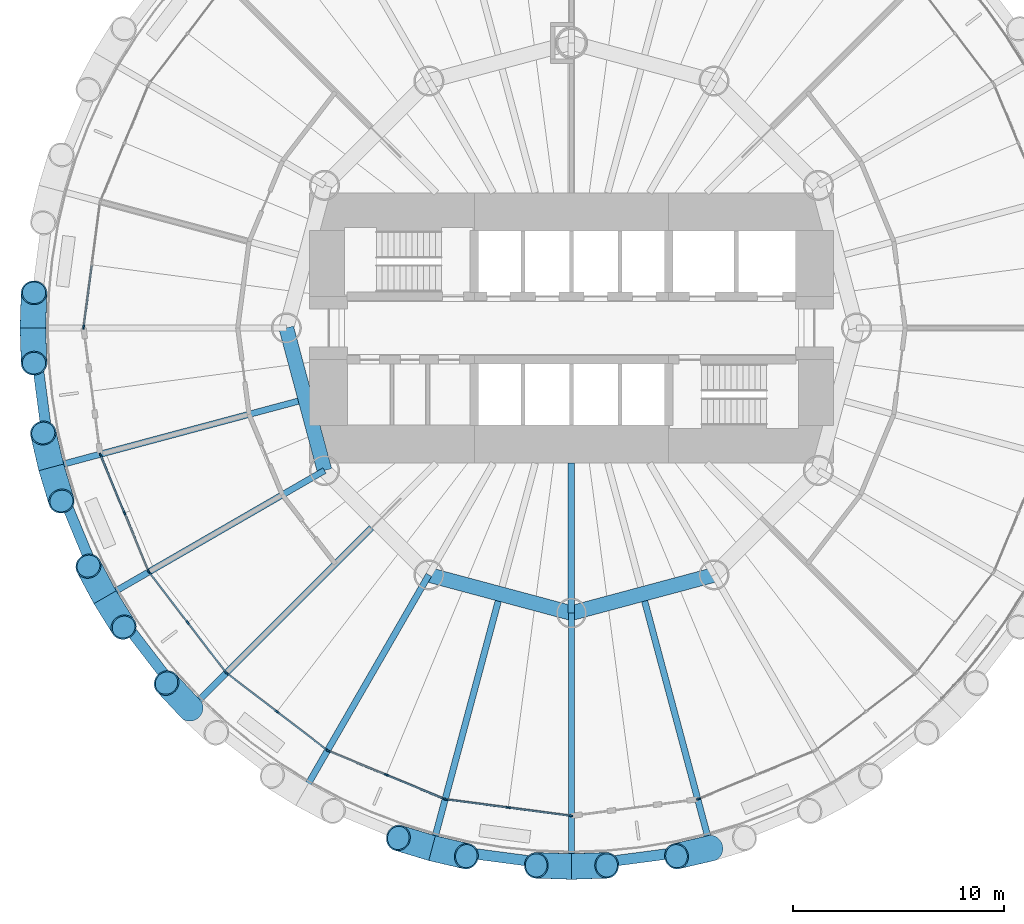
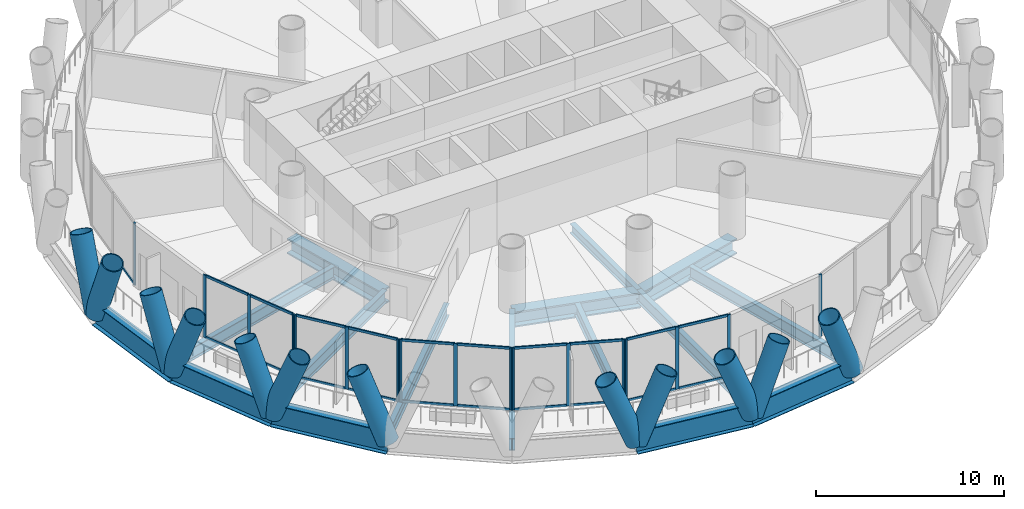
# One storey, part 2 of 14: 50 members, 16 beams, 7 elements without a shape of their own.
"""IFC4 building model written with IfcOpenShell, lengths in metres."""

from ifc_helpers import new_model, si_unit, direction, frame, origin, origin_2d, place, context, subcontext, project, spatial, rectangle, hollow_circle, i_section, extrude, material, material_profile, profile_set, type_object, element, aggregate, save


model = new_model("IFC4")

# Units and contexts
model_context = context("Model", 3, precision=1e-05, world=origin(), true_north=direction((0.0, 1.0)))
body_context = subcontext(model_context, "Body", "Model", "MODEL_VIEW")
ifc_project = project(units=[si_unit("LENGTHUNIT", "METRE"), si_unit("AREAUNIT", "SQUARE_METRE"), si_unit("VOLUMEUNIT", "CUBIC_METRE"), si_unit("PLANEANGLEUNIT", "RADIAN"), si_unit("MASSUNIT", "GRAM", prefix="KILO")], contexts=[model_context])

# Site, building, storey
site_placement = place(None, origin())
site = spatial("IfcSite", under=ifc_project, at=site_placement, CompositionType="ELEMENT")
building_placement = place(site_placement, origin())
building = spatial("IfcBuilding", under=site, at=building_placement, Name="Qaws Media Tower", CompositionType="ELEMENT")
storey_placement = place(building_placement, frame((0.0, 0.0, 76.39990234375)))
storey = spatial("IfcBuildingStorey", under=building, at=storey_placement, Name="L16", CompositionType="ELEMENT", Elevation=76.39990234375)

# Curtain wall, member
ifc_material_1 = material(Name="Aluminium and clear glass", Category="aluminium")
curtain_wall_type = type_object("IfcCurtainWallType", Name="Unitised curtain wall CW-A", PredefinedType="NOTDEFINED", material=ifc_material_1)
curtain_wall_1_placement = place(storey_placement, origin())
curtain_wall_1 = element("IfcCurtainWall", 1, at=curtain_wall_1_placement, inside=storey, type_object=curtain_wall_type, Name="CWA curtain wall L16-12", PredefinedType="NOTDEFINED")
ifc_material_2 = material(Name="Aluminium mullion", Category="aluminium")
ifc_material_profile_1 = material_profile(ifc_material_2, rectangle(XDim=0.080078125, YDim=0.199951171875, at=origin_2d()), Name="80x200")
ifc_profile_set_1 = profile_set([ifc_material_profile_1], Name="Aluminium mullion")
member_type_1 = type_object("IfcMemberType", Name="Curtain wall mullion 80x200", PredefinedType="MULLION", material=ifc_profile_set_1)
member_1_placement = place(storey_placement, frame((36.9052734375, 50.03955078125, 0.0), z_axis=(0.0, 0.0, 1.0), x_axis=(0.991444870395, -0.130526123696, 0.0)))
member_1 = element("IfcMember", 2, at=member_1_placement, type_object=member_type_1, Name="CWA mullion 3", PredefinedType="MULLION", context=body_context, shape_type="SweptSolid", body=[
    extrude(rectangle(XDim=0.080078125, YDim=0.199951171875, at=origin_2d()), origin(), (0.0, 0.0, 1.0), 4.0400390625),
])

# Curtain wall, members
curtain_wall_2_placement = place(storey_placement, origin())
curtain_wall_2 = element("IfcCurtainWall", 3, at=curtain_wall_2_placement, inside=storey, type_object=curtain_wall_type, Name="CWA curtain wall L16-14", PredefinedType="NOTDEFINED")
member_2_placement = place(storey_placement, frame((37.702392578125, 43.984375, 0.0), z_axis=(0.0, 0.0, 1.0), x_axis=(0.923879517022, 0.382683469758, 0.0)))
member_2 = element("IfcMember", 4, at=member_2_placement, type_object=member_type_1, Name="CWA mullion 1", PredefinedType="MULLION", context=body_context, shape_type="SweptSolid", body=[
    extrude(rectangle(XDim=0.080078125, YDim=0.199951171875, at=origin_2d()), origin(), (0.0, 0.0, 1.0), 4.0400390625),
])
member_3_placement = place(storey_placement, frame((38.841064453125, 41.235595703125, 0.0), z_axis=(0.0, 0.0, 1.0), x_axis=(0.923879517022, 0.382683469758, 0.0)))
member_3 = element("IfcMember", 5, at=member_3_placement, type_object=member_type_1, Name="CWA mullion 2", PredefinedType="MULLION", context=body_context, shape_type="SweptSolid", body=[
    extrude(rectangle(XDim=0.080078125, YDim=0.199951171875, at=origin_2d()), origin(), (0.0, 0.0, 1.0), 4.0400390625),
])
member_4_placement = place(storey_placement, frame((39.9794921875, 38.487060546875, 0.0), z_axis=(0.0, 0.0, 1.0), x_axis=(0.923879517022, 0.382683469758, 0.0)))
member_4 = element("IfcMember", 6, at=member_4_placement, type_object=member_type_1, Name="CWA mullion 3", PredefinedType="MULLION", context=body_context, shape_type="SweptSolid", body=[
    extrude(rectangle(XDim=0.080078125, YDim=0.199951171875, at=origin_2d()), origin(), (0.0, 0.0, 1.0), 4.0400390625),
])

curtain_wall_3_placement = place(storey_placement, origin())
curtain_wall_3 = element("IfcCurtainWall", 7, at=curtain_wall_3_placement, inside=storey, type_object=curtain_wall_type, Name="CWA curtain wall L16-15", PredefinedType="NOTDEFINED")
member_5_placement = place(storey_placement, frame((40.01904296875, 38.418212890625, 0.0), z_axis=(0.0, 0.0, 1.0), x_axis=(0.79335337666, 0.608761381612, 0.0)))
member_5 = element("IfcMember", 8, at=member_5_placement, type_object=member_type_1, Name="CWA mullion 1", PredefinedType="MULLION", context=body_context, shape_type="SweptSolid", body=[
    extrude(rectangle(XDim=0.080078125, YDim=0.199951171875, at=origin_2d()), origin(), (0.0, 0.0, 1.0), 4.0400390625),
])
member_6_placement = place(storey_placement, frame((41.830322265625, 36.057861328125, 0.0), z_axis=(0.0, 0.0, 1.0), x_axis=(0.79335337666, 0.608761381612, 0.0)))
member_6 = element("IfcMember", 9, at=member_6_placement, type_object=member_type_1, Name="CWA mullion 2", PredefinedType="MULLION", context=body_context, shape_type="SweptSolid", body=[
    extrude(rectangle(XDim=0.080078125, YDim=0.199951171875, at=origin_2d()), origin(), (0.0, 0.0, 1.0), 4.0400390625),
])
member_7_placement = place(storey_placement, frame((43.6416015625, 33.697509765625, 0.0), z_axis=(0.0, 0.0, 1.0), x_axis=(0.79335337666, 0.608761381612, 0.0)))
member_7 = element("IfcMember", 10, at=member_7_placement, type_object=member_type_1, Name="CWA mullion 3", PredefinedType="MULLION", context=body_context, shape_type="SweptSolid", body=[
    extrude(rectangle(XDim=0.080078125, YDim=0.199951171875, at=origin_2d()), origin(), (0.0, 0.0, 1.0), 4.0400390625),
])

curtain_wall_4_placement = place(storey_placement, origin())
curtain_wall_4 = element("IfcCurtainWall", 11, at=curtain_wall_4_placement, inside=storey, type_object=curtain_wall_type, Name="CWA curtain wall L16-16", PredefinedType="NOTDEFINED")
member_8_placement = place(storey_placement, frame((43.697509765625, 33.6416015625, 0.0), z_axis=(0.0, 0.0, 1.0), x_axis=(0.608761381612, 0.79335337666, 0.0)))
member_8 = element("IfcMember", 12, at=member_8_placement, type_object=member_type_1, Name="CWA mullion 1", PredefinedType="MULLION", context=body_context, shape_type="SweptSolid", body=[
    extrude(rectangle(XDim=0.080078125, YDim=0.199951171875, at=origin_2d()), origin(), (0.0, 0.0, 1.0), 4.0400390625),
])
member_9_placement = place(storey_placement, frame((46.057861328125, 31.830322265625, 0.0), z_axis=(0.0, 0.0, 1.0), x_axis=(0.608761381612, 0.79335337666, 0.0)))
member_9 = element("IfcMember", 13, at=member_9_placement, type_object=member_type_1, Name="CWA mullion 2", PredefinedType="MULLION", context=body_context, shape_type="SweptSolid", body=[
    extrude(rectangle(XDim=0.080078125, YDim=0.199951171875, at=origin_2d()), origin(), (0.0, 0.0, 1.0), 4.0400390625),
])
member_10_placement = place(storey_placement, frame((48.418212890625, 30.01904296875, 0.0), z_axis=(0.0, 0.0, 1.0), x_axis=(0.608761381612, 0.79335337666, 0.0)))
member_10 = element("IfcMember", 14, at=member_10_placement, type_object=member_type_1, Name="CWA mullion 3", PredefinedType="MULLION", context=body_context, shape_type="SweptSolid", body=[
    extrude(rectangle(XDim=0.080078125, YDim=0.199951171875, at=origin_2d()), origin(), (0.0, 0.0, 1.0), 4.0400390625),
])

curtain_wall_5_placement = place(storey_placement, origin())
curtain_wall_5 = element("IfcCurtainWall", 15, at=curtain_wall_5_placement, inside=storey, type_object=curtain_wall_type, Name="CWA curtain wall L16-17", PredefinedType="NOTDEFINED")
member_11_placement = place(storey_placement, frame((48.487060546875, 29.9794921875, 0.0), z_axis=(0.0, 0.0, 1.0), x_axis=(0.382683469758, 0.923879517022, 0.0)))
member_11 = element("IfcMember", 16, at=member_11_placement, type_object=member_type_1, Name="CWA mullion 1", PredefinedType="MULLION", context=body_context, shape_type="SweptSolid", body=[
    extrude(rectangle(XDim=0.080078125, YDim=0.199951171875, at=origin_2d()), origin(), (0.0, 0.0, 1.0), 4.0400390625),
])
member_12_placement = place(storey_placement, frame((51.235595703125, 28.841064453125, 0.0), z_axis=(0.0, 0.0, 1.0), x_axis=(0.382683469758, 0.923879517022, 0.0)))
member_12 = element("IfcMember", 17, at=member_12_placement, type_object=member_type_1, Name="CWA mullion 2", PredefinedType="MULLION", context=body_context, shape_type="SweptSolid", body=[
    extrude(rectangle(XDim=0.080078125, YDim=0.199951171875, at=origin_2d()), origin(), (0.0, 0.0, 1.0), 4.0400390625),
])
member_13_placement = place(storey_placement, frame((53.984375, 27.702392578125, 0.0), z_axis=(0.0, 0.0, 1.0), x_axis=(0.382683469758, 0.923879517022, 0.0)))
member_13 = element("IfcMember", 18, at=member_13_placement, type_object=member_type_1, Name="CWA mullion 3", PredefinedType="MULLION", context=body_context, shape_type="SweptSolid", body=[
    extrude(rectangle(XDim=0.080078125, YDim=0.199951171875, at=origin_2d()), origin(), (0.0, 0.0, 1.0), 4.0400390625),
])

curtain_wall_6_placement = place(storey_placement, origin())
curtain_wall_6 = element("IfcCurtainWall", 19, at=curtain_wall_6_placement, inside=storey, type_object=curtain_wall_type, Name="CWA curtain wall L16-18", PredefinedType="NOTDEFINED")
member_14_placement = place(storey_placement, frame((54.06103515625, 27.681884765625, 0.0), z_axis=(0.0, 0.0, 1.0), x_axis=(0.130526123696, 0.991444870395, 0.0)))
member_14 = element("IfcMember", 20, at=member_14_placement, type_object=member_type_1, Name="CWA mullion 1", PredefinedType="MULLION", context=body_context, shape_type="SweptSolid", body=[
    extrude(rectangle(XDim=0.080078125, YDim=0.199951171875, at=origin_2d()), origin(), (0.0, 0.0, 1.0), 4.0400390625),
])
member_15_placement = place(storey_placement, frame((57.0107421875, 27.29345703125, 0.0), z_axis=(0.0, 0.0, 1.0), x_axis=(0.130526123696, 0.991444870395, 0.0)))
member_15 = element("IfcMember", 21, at=member_15_placement, type_object=member_type_1, Name="CWA mullion 2", PredefinedType="MULLION", context=body_context, shape_type="SweptSolid", body=[
    extrude(rectangle(XDim=0.080078125, YDim=0.199951171875, at=origin_2d()), origin(), (0.0, 0.0, 1.0), 4.0400390625),
])
member_16_placement = place(storey_placement, frame((59.96044921875, 26.9052734375, 0.0), z_axis=(0.0, 0.0, 1.0), x_axis=(0.130526123696, 0.991444870395, 0.0)))
member_16 = element("IfcMember", 22, at=member_16_placement, type_object=member_type_1, Name="CWA mullion 3", PredefinedType="MULLION", context=body_context, shape_type="SweptSolid", body=[
    extrude(rectangle(XDim=0.080078125, YDim=0.199951171875, at=origin_2d()), origin(), (0.0, 0.0, 1.0), 4.0400390625),
])

# Curtain wall, member
curtain_wall_7_placement = place(storey_placement, origin())
curtain_wall_7 = element("IfcCurtainWall", 23, at=curtain_wall_7_placement, inside=storey, type_object=curtain_wall_type, Name="CWA curtain wall L16-20", PredefinedType="NOTDEFINED")
member_17_placement = place(storey_placement, frame((66.015625, 27.702392578125, 0.0), z_axis=(0.0, 0.0, 1.0), x_axis=(-0.382683469758, 0.923879517022, 0.0)))
member_17 = element("IfcMember", 24, at=member_17_placement, type_object=member_type_1, Name="CWA mullion 1", PredefinedType="MULLION", context=body_context, shape_type="SweptSolid", body=[
    extrude(rectangle(XDim=0.080078125, YDim=0.199951171875, at=origin_2d()), origin(), (0.0, 0.0, 1.0), 4.0400390625),
])
aggregate(curtain_wall_7, [member_17])

# Member
ifc_material_3 = material(Name="Aluminium transom", Category="aluminium")
ifc_material_profile_2 = material_profile(ifc_material_3, rectangle(XDim=0.080078125, YDim=0.159912109375, at=origin_2d()), Name="80x160")
ifc_profile_set_2 = profile_set([ifc_material_profile_2], Name="Aluminium transom")
member_type_2 = type_object("IfcMemberType", Name="Curtain wall transom 80x160", PredefinedType="USERDEFINED", material=ifc_profile_set_2)
member_18_placement = place(storey_placement, frame((37.288330078125, 52.94970703125, 0.0400390625), z_axis=(-0.130539586254, -0.991443097924, 0.0), x_axis=(0.991443097924, -0.130539586254, 0.0)))
member_18 = element("IfcMember", 25, at=member_18_placement, type_object=member_type_2, Name="CWA transom 2.1", ObjectType="TRANSOM", PredefinedType="USERDEFINED", context=body_context, shape_type="SweptSolid", body=[
    extrude(rectangle(XDim=0.080078125, YDim=0.159912109375, at=origin_2d()), origin(), (0.0, 0.0, 1.0), 2.89501953125),
])

aggregate(curtain_wall_1, [member_1, member_18])

member_19_placement = place(storey_placement, frame((37.7177734375, 43.947265625, 0.0400390625), z_axis=(0.382704337855, -0.923870872897, 0.0), x_axis=(0.923870872897, 0.382704337855, 0.0)))
member_19 = element("IfcMember", 26, at=member_19_placement, type_object=member_type_2, Name="CWA transom 1.1", ObjectType="TRANSOM", PredefinedType="USERDEFINED", context=body_context, shape_type="SweptSolid", body=[
    extrude(rectangle(XDim=0.080078125, YDim=0.159912109375, at=origin_2d()), origin(), (0.0, 0.0, 1.0), 2.89501953125),
])

member_20_placement = place(storey_placement, frame((37.7177734375, 43.947265625, 4.0), z_axis=(0.382704337855, -0.923870872897, 0.0), x_axis=(0.923870872897, 0.382704337855, 0.0)))
member_20 = element("IfcMember", 27, at=member_20_placement, type_object=member_type_2, Name="CWA transom 1.2", ObjectType="TRANSOM", PredefinedType="USERDEFINED", context=body_context, shape_type="SweptSolid", body=[
    extrude(rectangle(XDim=0.080078125, YDim=0.159912109375, at=origin_2d()), origin(), (0.0, 0.0, 1.0), 2.89501953125),
])

member_21_placement = place(storey_placement, frame((38.856201171875, 41.19873046875, 0.0400390625), z_axis=(0.382674522319, -0.923883223123, 0.0), x_axis=(0.923883223123, 0.382674522319, 0.0)))
member_21 = element("IfcMember", 28, at=member_21_placement, type_object=member_type_2, Name="CWA transom 2.1", ObjectType="TRANSOM", PredefinedType="USERDEFINED", context=body_context, shape_type="SweptSolid", body=[
    extrude(rectangle(XDim=0.080078125, YDim=0.159912109375, at=origin_2d()), origin(), (0.0, 0.0, 1.0), 2.895263671875),
])

member_22_placement = place(storey_placement, frame((38.856201171875, 41.19873046875, 4.0), z_axis=(0.382674522319, -0.923883223123, 0.0), x_axis=(0.923883223123, 0.382674522319, 0.0)))
member_22 = element("IfcMember", 29, at=member_22_placement, type_object=member_type_2, Name="CWA transom 2.2", ObjectType="TRANSOM", PredefinedType="USERDEFINED", context=body_context, shape_type="SweptSolid", body=[
    extrude(rectangle(XDim=0.080078125, YDim=0.159912109375, at=origin_2d()), origin(), (0.0, 0.0, 1.0), 2.895263671875),
])

aggregate(curtain_wall_2, [member_2, member_3, member_4, member_19, member_20, member_21, member_22])

member_23_placement = place(storey_placement, frame((40.04345703125, 38.386474609375, 0.0400390625), z_axis=(0.608760776012, -0.793353841353, 0.0), x_axis=(0.793353841353, 0.608760776012, 0.0)))
member_23 = element("IfcMember", 30, at=member_23_placement, type_object=member_type_2, Name="CWA transom 1.1", ObjectType="TRANSOM", PredefinedType="USERDEFINED", context=body_context, shape_type="SweptSolid", body=[
    extrude(rectangle(XDim=0.080078125, YDim=0.159912109375, at=origin_2d()), origin(), (0.0, 0.0, 1.0), 2.895263671875),
])

member_24_placement = place(storey_placement, frame((40.04345703125, 38.386474609375, 4.0), z_axis=(0.608760776012, -0.793353841353, 0.0), x_axis=(0.793353841353, 0.608760776012, 0.0)))
member_24 = element("IfcMember", 31, at=member_24_placement, type_object=member_type_2, Name="CWA transom 1.2", ObjectType="TRANSOM", PredefinedType="USERDEFINED", context=body_context, shape_type="SweptSolid", body=[
    extrude(rectangle(XDim=0.080078125, YDim=0.159912109375, at=origin_2d()), origin(), (0.0, 0.0, 1.0), 2.895263671875),
])

member_25_placement = place(storey_placement, frame((41.854736328125, 36.026123046875, 0.0400390625), z_axis=(0.608760776012, -0.793353841353, 0.0), x_axis=(0.793353841353, 0.608760776012, 0.0)))
member_25 = element("IfcMember", 32, at=member_25_placement, type_object=member_type_2, Name="CWA transom 2.1", ObjectType="TRANSOM", PredefinedType="USERDEFINED", context=body_context, shape_type="SweptSolid", body=[
    extrude(rectangle(XDim=0.080078125, YDim=0.159912109375, at=origin_2d()), origin(), (0.0, 0.0, 1.0), 2.895263671875),
])

member_26_placement = place(storey_placement, frame((41.854736328125, 36.026123046875, 4.0), z_axis=(0.608760776012, -0.793353841353, 0.0), x_axis=(0.793353841353, 0.608760776012, 0.0)))
member_26 = element("IfcMember", 33, at=member_26_placement, type_object=member_type_2, Name="CWA transom 2.2", ObjectType="TRANSOM", PredefinedType="USERDEFINED", context=body_context, shape_type="SweptSolid", body=[
    extrude(rectangle(XDim=0.080078125, YDim=0.159912109375, at=origin_2d()), origin(), (0.0, 0.0, 1.0), 2.895263671875),
])

aggregate(curtain_wall_3, [member_5, member_6, member_7, member_23, member_24, member_25, member_26])

member_27_placement = place(storey_placement, frame((43.729248046875, 33.6171875, 0.0400390625), z_axis=(0.793353841353, -0.608760776012, 0.0), x_axis=(0.608760776012, 0.793353841353, 0.0)))
member_27 = element("IfcMember", 34, at=member_27_placement, type_object=member_type_2, Name="CWA transom 1.1", ObjectType="TRANSOM", PredefinedType="USERDEFINED", context=body_context, shape_type="SweptSolid", body=[
    extrude(rectangle(XDim=0.080078125, YDim=0.159912109375, at=origin_2d()), origin(), (0.0, 0.0, 1.0), 2.895263671875),
])

member_28_placement = place(storey_placement, frame((43.729248046875, 33.6171875, 4.0), z_axis=(0.793353841353, -0.608760776012, 0.0), x_axis=(0.608760776012, 0.793353841353, 0.0)))
member_28 = element("IfcMember", 35, at=member_28_placement, type_object=member_type_2, Name="CWA transom 1.2", ObjectType="TRANSOM", PredefinedType="USERDEFINED", context=body_context, shape_type="SweptSolid", body=[
    extrude(rectangle(XDim=0.080078125, YDim=0.159912109375, at=origin_2d()), origin(), (0.0, 0.0, 1.0), 2.895263671875),
])

member_29_placement = place(storey_placement, frame((46.089599609375, 31.805908203125, 0.0400390625), z_axis=(0.793353841353, -0.608760776012, 0.0), x_axis=(0.608760776012, 0.793353841353, 0.0)))
member_29 = element("IfcMember", 36, at=member_29_placement, type_object=member_type_2, Name="CWA transom 2.1", ObjectType="TRANSOM", PredefinedType="USERDEFINED", context=body_context, shape_type="SweptSolid", body=[
    extrude(rectangle(XDim=0.080078125, YDim=0.159912109375, at=origin_2d()), origin(), (0.0, 0.0, 1.0), 2.895263671875),
])

member_30_placement = place(storey_placement, frame((46.089599609375, 31.805908203125, 4.0), z_axis=(0.793353841353, -0.608760776012, 0.0), x_axis=(0.608760776012, 0.793353841353, 0.0)))
member_30 = element("IfcMember", 37, at=member_30_placement, type_object=member_type_2, Name="CWA transom 2.2", ObjectType="TRANSOM", PredefinedType="USERDEFINED", context=body_context, shape_type="SweptSolid", body=[
    extrude(rectangle(XDim=0.080078125, YDim=0.159912109375, at=origin_2d()), origin(), (0.0, 0.0, 1.0), 2.895263671875),
])

aggregate(curtain_wall_4, [member_8, member_9, member_10, member_27, member_28, member_29, member_30])

member_31_placement = place(storey_placement, frame((48.52392578125, 29.964111328125, 0.0400390625), z_axis=(0.923883223123, -0.382674522319, 0.0), x_axis=(0.382674522319, 0.923883223123, 0.0)))
member_31 = element("IfcMember", 38, at=member_31_placement, type_object=member_type_2, Name="CWA transom 1.1", ObjectType="TRANSOM", PredefinedType="USERDEFINED", context=body_context, shape_type="SweptSolid", body=[
    extrude(rectangle(XDim=0.080078125, YDim=0.159912109375, at=origin_2d()), origin(), (0.0, 0.0, 1.0), 2.895263671875),
])

member_32_placement = place(storey_placement, frame((48.52392578125, 29.964111328125, 4.0), z_axis=(0.923883223123, -0.382674522319, 0.0), x_axis=(0.382674522319, 0.923883223123, 0.0)))
member_32 = element("IfcMember", 39, at=member_32_placement, type_object=member_type_2, Name="CWA transom 1.2", ObjectType="TRANSOM", PredefinedType="USERDEFINED", context=body_context, shape_type="SweptSolid", body=[
    extrude(rectangle(XDim=0.080078125, YDim=0.159912109375, at=origin_2d()), origin(), (0.0, 0.0, 1.0), 2.895263671875),
])

member_33_placement = place(storey_placement, frame((51.272705078125, 28.82568359375, 0.0400390625), z_axis=(0.923870872897, -0.382704337855, 0.0), x_axis=(0.382704337855, 0.923870872897, 0.0)))
member_33 = element("IfcMember", 40, at=member_33_placement, type_object=member_type_2, Name="CWA transom 2.1", ObjectType="TRANSOM", PredefinedType="USERDEFINED", context=body_context, shape_type="SweptSolid", body=[
    extrude(rectangle(XDim=0.080078125, YDim=0.159912109375, at=origin_2d()), origin(), (0.0, 0.0, 1.0), 2.89501953125),
])

member_34_placement = place(storey_placement, frame((51.272705078125, 28.82568359375, 4.0), z_axis=(0.923870872897, -0.382704337855, 0.0), x_axis=(0.382704337855, 0.923870872897, 0.0)))
member_34 = element("IfcMember", 41, at=member_34_placement, type_object=member_type_2, Name="CWA transom 2.2", ObjectType="TRANSOM", PredefinedType="USERDEFINED", context=body_context, shape_type="SweptSolid", body=[
    extrude(rectangle(XDim=0.080078125, YDim=0.159912109375, at=origin_2d()), origin(), (0.0, 0.0, 1.0), 2.89501953125),
])

aggregate(curtain_wall_5, [member_11, member_12, member_13, member_31, member_32, member_33, member_34])

member_35_placement = place(storey_placement, frame((54.1005859375, 27.6767578125, 0.0400390625), z_axis=(0.991443097924, -0.130539586254, 0.0), x_axis=(0.130539586254, 0.991443097924, 0.0)))
member_35 = element("IfcMember", 42, at=member_35_placement, type_object=member_type_2, Name="CWA transom 1.1", ObjectType="TRANSOM", PredefinedType="USERDEFINED", context=body_context, shape_type="SweptSolid", body=[
    extrude(rectangle(XDim=0.080078125, YDim=0.159912109375, at=origin_2d()), origin(), (0.0, 0.0, 1.0), 2.89501953125),
])

member_36_placement = place(storey_placement, frame((54.1005859375, 27.6767578125, 4.0), z_axis=(0.991443097924, -0.130539586254, 0.0), x_axis=(0.130539586254, 0.991443097924, 0.0)))
member_36 = element("IfcMember", 43, at=member_36_placement, type_object=member_type_2, Name="CWA transom 1.2", ObjectType="TRANSOM", PredefinedType="USERDEFINED", context=body_context, shape_type="SweptSolid", body=[
    extrude(rectangle(XDim=0.080078125, YDim=0.159912109375, at=origin_2d()), origin(), (0.0, 0.0, 1.0), 2.89501953125),
])

member_37_placement = place(storey_placement, frame((57.05029296875, 27.288330078125, 0.0400390625), z_axis=(0.991443097924, -0.130539586254, 0.0), x_axis=(0.130539586254, 0.991443097924, 0.0)))
member_37 = element("IfcMember", 44, at=member_37_placement, type_object=member_type_2, Name="CWA transom 2.1", ObjectType="TRANSOM", PredefinedType="USERDEFINED", context=body_context, shape_type="SweptSolid", body=[
    extrude(rectangle(XDim=0.080078125, YDim=0.159912109375, at=origin_2d()), origin(), (0.0, 0.0, 1.0), 2.89501953125),
])

member_38_placement = place(storey_placement, frame((57.05029296875, 27.288330078125, 4.0), z_axis=(0.991443097924, -0.130539586254, 0.0), x_axis=(0.130539586254, 0.991443097924, 0.0)))
member_38 = element("IfcMember", 45, at=member_38_placement, type_object=member_type_2, Name="CWA transom 2.2", ObjectType="TRANSOM", PredefinedType="USERDEFINED", context=body_context, shape_type="SweptSolid", body=[
    extrude(rectangle(XDim=0.080078125, YDim=0.159912109375, at=origin_2d()), origin(), (0.0, 0.0, 1.0), 2.89501953125),
])

aggregate(curtain_wall_6, [member_14, member_15, member_16, member_35, member_36, member_37, member_38])

# Members
ifc_material_4 = material(Name="Steel S460", Category="steel")
ifc_material_profile_3 = material_profile(ifc_material_4, hollow_circle(Radius=0.609619140625, WallThickness=0.06005859375, at=origin_2d()), Name="CHS 1219x60")
ifc_profile_set_3 = profile_set([ifc_material_profile_3], Name="Steel S460")
member_type_3 = type_object("IfcMemberType", Name="Diagrid member CHS 1219x60", PredefinedType="USERDEFINED", material=ifc_profile_set_3)
for number, where, z_axis, x_axis, name in (
    (46, (34.5, 50.0, -0.909912109375), (0.012100933718, -0.369024456381, 0.929340905156), (0.999462785907, 0.03277406881, 0.0), "DG1 diagrid L16 A13"),
    (47, (34.5, 50.0, -0.909912109375), (0.012100933718, 0.369024456381, 0.929340905156), (-0.999462785907, 0.03277406881, 0.0), "DG1 diagrid L16 B13"),
    (48, (35.368896484375, 43.400146484375, -0.909912109375), (0.107178416227, -0.353353840999, 0.929329785462), (0.956948083702, 0.290259134393, 0.0), "DG1 diagrid L16 A14"),
    (49, (35.368896484375, 43.400146484375, -0.909912109375), (-0.083842391234, 0.359571492302, 0.92934320644), (-0.973875734494, -0.227081601553, 0.0), "DG1 diagrid L16 B14"),
    (50, (37.916259765625, 37.25, -0.909912109375), (0.195017867644, -0.31354119219, 0.929333068442), (0.84914700904, 0.528156564892, 0.0), "DG1 diagrid L16 A15"),
    (51, (37.916259765625, 37.25, -0.909912109375), (-0.174057612272, 0.32564223674, 0.929333675953), (-0.881923279283, -0.471392967129, 0.0), "DG1 diagrid L16 B15"),
    (52, (41.96875, 31.96875, -0.909912109375), (-0.25238907364, 0.269513931591, 0.929334168201), (-0.729915782041, -0.683537088333, 0.0), "DG1 diagrid L16 B16"),
    (53, (53.400146484375, 25.368896484375, -0.909912109375), (0.359571492302, -0.083842391234, 0.92934320644), (0.227081601553, 0.973875734494, 0.0), "DG1 diagrid L16 A18"),
    (54, (53.400146484375, 25.368896484375, -0.909912109375), (-0.353353840999, 0.107178416227, 0.929329785462), (-0.290259134393, -0.956948083702, 0.0), "DG1 diagrid L16 B18"),
    (55, (60.0, 24.5, -0.909912109375), (0.369024456381, 0.012100933718, 0.929340905156), (-0.03277406881, 0.999462785907, 0.0), "DG1 diagrid L16 A19"),
    (56, (60.0, 24.5, -0.909912109375), (-0.369024456381, 0.012100933718, 0.929340905156), (-0.03277406881, -0.999462785907, 0.0), "DG1 diagrid L16 B19"),
    (57, (66.599853515625, 25.368896484375, -0.909912109375), (-0.359571492302, -0.083842391234, 0.92934320644), (0.227081601553, -0.973875734494, 0.0), "DG1 diagrid L16 B20"),
):
    element("IfcMember", number, at=place(storey_placement, frame(where, z_axis=z_axis, x_axis=x_axis)), inside=storey, type_object=member_type_3, Name=name, ObjectType="DIAGRID", PredefinedType="USERDEFINED", context=body_context, shape_type="SweptSolid", body=[
        extrude(hollow_circle(Radius=0.609619140625, WallThickness=0.06005859375, at=origin_2d()), origin(), (0.0, 0.0, 1.0), 4.519287109375),
    ])

# Beams
ifc_material_5 = material(Name="Steel S460", Category="steel")
ifc_material_profile_4 = material_profile(ifc_material_5, i_section(OverallWidth=0.5, OverallDepth=1.5, WebThickness=0.02001953125, FlangeThickness=0.0400390625, at=origin_2d()), Name="PG 1500x500")
ifc_profile_set_4 = profile_set([ifc_material_profile_4], Name="Steel S460")
beam_type_1 = type_object("IfcBeamType", Name="Edge ring beam PG 1500x500", PredefinedType="BEAM", material=ifc_profile_set_4)
for number, where, z_axis, x_axis, name in (
    (58, (34.5, 50.0, -0.909912109375), (0.130527563319, -0.991444680864, 0.0), (0.991444680864, 0.130527563319, 0.0), "RB4 edge ring beam L16-13"),
    (59, (35.368896484375, 43.400146484375, -0.909912109375), (0.382669224891, -0.923885417312, 0.0), (0.923885417312, 0.382669224891, 0.0), "RB4 edge ring beam L16-14"),
):
    element("IfcBeam", number, at=place(storey_placement, frame(where, z_axis=z_axis, x_axis=x_axis)), inside=storey, type_object=beam_type_1, Name=name, PredefinedType="BEAM", context=body_context, shape_type="SweptSolid", body=[
        extrude(i_section(OverallWidth=0.5, OverallDepth=1.5, WebThickness=0.02001953125, FlangeThickness=0.0400390625, at=origin_2d()), origin(), (0.0, 0.0, 1.0), 6.65673828125),
    ])
beam_1_placement = place(storey_placement, frame((37.916259765625, 37.25, -0.909912109375), z_axis=(0.608765643954, -0.793350106032, 0.0), x_axis=(0.793350106032, 0.608765643954, 0.0)))
element("IfcBeam", 60, at=beam_1_placement, inside=storey, type_object=beam_type_1, Name="RB4 edge ring beam L16-15", PredefinedType="BEAM", context=body_context, shape_type="SweptSolid", body=[
    extrude(i_section(OverallWidth=0.5, OverallDepth=1.5, WebThickness=0.02001953125, FlangeThickness=0.0400390625, at=origin_2d()), origin(), (0.0, 0.0, 1.0), 6.656982421875),
])
for number, where, z_axis, x_axis, name in (
    (61, (53.400146484375, 25.368896484375, -0.909912109375), (0.991444680864, -0.130527563319, 0.0), (0.130527563319, 0.991444680864, 0.0), "RB4 edge ring beam L16-18"),
    (62, (60.0, 24.5, -0.909912109375), (0.991444680864, 0.130527563319, 0.0), (-0.130527563319, 0.991444680864, 0.0), "RB4 edge ring beam L16-19"),
):
    element("IfcBeam", number, at=place(storey_placement, frame(where, z_axis=z_axis, x_axis=x_axis)), inside=storey, type_object=beam_type_1, Name=name, PredefinedType="BEAM", context=body_context, shape_type="SweptSolid", body=[
        extrude(i_section(OverallWidth=0.5, OverallDepth=1.5, WebThickness=0.02001953125, FlangeThickness=0.0400390625, at=origin_2d()), origin(), (0.0, 0.0, 1.0), 6.65673828125),
    ])
ifc_material_6 = material(Name="Steel S460", Category="steel")
ifc_material_profile_5 = material_profile(ifc_material_6, i_section(OverallWidth=0.699951171875, OverallDepth=1.0, WebThickness=0.034912109375, FlangeThickness=0.090087890625, at=origin_2d()), Name="PG 1000x700")
ifc_profile_set_5 = profile_set([ifc_material_profile_5], Name="Steel S460")
beam_type_2 = type_object("IfcBeamType", Name="Inner ring girder PG 1000x700", PredefinedType="BEAM", material=ifc_profile_set_5)
for number, where, z_axis, x_axis, name in (
    (63, (46.5, 50.0, -0.659912109375), (0.258810593767, -0.965928090778, 0.0), (0.965928090778, 0.258810593767, 0.0), "B3 inner ring beam L16 I07-I08"),
    (64, (53.25, 38.30859375, -0.659912109375), (0.965928090778, -0.258810593767, 0.0), (0.258810593767, 0.965928090778, 0.0), "B3 inner ring beam L16 I09-I10"),
    (65, (60.0, 36.5, -0.659912109375), (0.965928090778, 0.258810593767, 0.0), (-0.258810593767, 0.965928090778, 0.0), "B3 inner ring beam L16 I10-I11"),
):
    element("IfcBeam", number, at=place(storey_placement, frame(where, z_axis=z_axis, x_axis=x_axis)), inside=storey, type_object=beam_type_2, Name=name, PredefinedType="BEAM", context=body_context, shape_type="SweptSolid", body=[
        extrude(i_section(OverallWidth=0.699951171875, OverallDepth=1.0, WebThickness=0.034912109375, FlangeThickness=0.090087890625, at=origin_2d()), origin(), (0.0, 0.0, 1.0), 6.988037109375),
    ])
ifc_material_7 = material(Name="Steel S355", Category="steel")
ifc_material_profile_6 = material_profile(ifc_material_7, i_section(OverallWidth=0.304931640625, OverallDepth=0.6201171875, WebThickness=0.02099609375, FlangeThickness=0.0400390625, FilletRadius=0.027099609375, at=origin_2d()), Name="HE 600 M")
ifc_profile_set_6 = profile_set([ifc_material_profile_6], Name="Steel S355")
beam_type_3 = type_object("IfcBeamType", Name="Radial beam HE 600 M, core side", PredefinedType="BEAM", material=ifc_profile_set_6)
beam_2_placement = place(storey_placement, frame((60.0, 43.60009765625, -0.469970703125), z_axis=(0.0, -1.0, 0.0), x_axis=(1.0, 0.0, 0.0)))
element("IfcBeam", 66, at=beam_2_placement, inside=storey, type_object=beam_type_3, Name="B2 radial beam L16 19", PredefinedType="BEAM", context=body_context, shape_type="SweptSolid", body=[
    extrude(i_section(OverallWidth=0.304931640625, OverallDepth=0.6201171875, WebThickness=0.02099609375, FlangeThickness=0.0400390625, FilletRadius=0.027099609375, at=origin_2d()), origin(), (0.0, 0.0, 1.0), 7.10009765625),
])
ifc_material_8 = material(Name="Steel S355", Category="steel")
ifc_material_profile_7 = material_profile(ifc_material_8, i_section(OverallWidth=0.300048828125, OverallDepth=0.800048828125, WebThickness=0.017578125, FlangeThickness=0.032958984375, FilletRadius=0.030029296875, at=origin_2d()), Name="HE 800 B")
ifc_profile_set_7 = profile_set([ifc_material_profile_7], Name="Steel S355")
beam_type_4 = type_object("IfcBeamType", Name="Radial beam HE 800 B", PredefinedType="BEAM", material=ifc_profile_set_7)
beam_3_placement = place(storey_placement, frame((47.066162109375, 46.534423828125, -0.559814453125), z_axis=(-0.965925734094, -0.258819389178, 0.0), x_axis=(0.258819389178, -0.965925734094, 0.0)))
element("IfcBeam", 67, at=beam_3_placement, inside=storey, type_object=beam_type_4, Name="B1 radial beam L16 14", PredefinedType="BEAM", context=body_context, shape_type="SweptSolid", body=[
    extrude(i_section(OverallWidth=0.300048828125, OverallDepth=0.800048828125, WebThickness=0.017578125, FlangeThickness=0.032958984375, FilletRadius=0.030029296875, at=origin_2d()), origin(), (0.0, 0.0, 1.0), 12.10986328125),
])
beam_4_placement = place(storey_placement, frame((48.30859375, 43.25, -0.559814453125), z_axis=(-0.866026010844, -0.49999894854, 0.0), x_axis=(0.49999894854, -0.866026010844, 0.0)))
element("IfcBeam", 68, at=beam_4_placement, inside=storey, type_object=beam_type_4, Name="B1 radial beam L16 15", PredefinedType="BEAM", context=body_context, shape_type="SweptSolid", body=[
    extrude(i_section(OverallWidth=0.300048828125, OverallDepth=0.800048828125, WebThickness=0.017578125, FlangeThickness=0.032958984375, FilletRadius=0.030029296875, at=origin_2d()), origin(), (0.0, 0.0, 1.0), 12.0),
])
beam_5_placement = place(storey_placement, frame((50.53173828125, 40.53173828125, -0.559814453125), z_axis=(-0.707106781187, -0.707106781187, 0.0), x_axis=(0.707106781187, -0.707106781187, 0.0)))
element("IfcBeam", 69, at=beam_5_placement, inside=storey, type_object=beam_type_4, Name="B1 radial beam L16 16", PredefinedType="BEAM", context=body_context, shape_type="SweptSolid", body=[
    extrude(i_section(OverallWidth=0.300048828125, OverallDepth=0.800048828125, WebThickness=0.017578125, FlangeThickness=0.032958984375, FilletRadius=0.030029296875, at=origin_2d()), origin(), (0.0, 0.0, 1.0), 12.10986328125),
])
beam_6_placement = place(storey_placement, frame((53.25, 38.30859375, -0.559814453125), z_axis=(-0.49999894854, -0.866026010844, 0.0), x_axis=(0.866026010844, -0.49999894854, 0.0)))
element("IfcBeam", 70, at=beam_6_placement, inside=storey, type_object=beam_type_4, Name="B1 radial beam L16 17", PredefinedType="BEAM", context=body_context, shape_type="SweptSolid", body=[
    extrude(i_section(OverallWidth=0.300048828125, OverallDepth=0.800048828125, WebThickness=0.017578125, FlangeThickness=0.032958984375, FilletRadius=0.030029296875, at=origin_2d()), origin(), (0.0, 0.0, 1.0), 12.0),
])
beam_7_placement = place(storey_placement, frame((56.534423828125, 37.066162109375, -0.559814453125), z_axis=(-0.258819389178, -0.965925734094, 0.0), x_axis=(0.965925734094, -0.258819389178, 0.0)))
element("IfcBeam", 71, at=beam_7_placement, inside=storey, type_object=beam_type_4, Name="B1 radial beam L16 18", PredefinedType="BEAM", context=body_context, shape_type="SweptSolid", body=[
    extrude(i_section(OverallWidth=0.300048828125, OverallDepth=0.800048828125, WebThickness=0.017578125, FlangeThickness=0.032958984375, FilletRadius=0.030029296875, at=origin_2d()), origin(), (0.0, 0.0, 1.0), 12.10986328125),
])
beam_8_placement = place(storey_placement, frame((60.0, 36.5, -0.559814453125), z_axis=(0.0, -1.0, 0.0), x_axis=(1.0, 0.0, 0.0)))
element("IfcBeam", 72, at=beam_8_placement, inside=storey, type_object=beam_type_4, Name="B1 radial beam L16 19", PredefinedType="BEAM", context=body_context, shape_type="SweptSolid", body=[
    extrude(i_section(OverallWidth=0.300048828125, OverallDepth=0.800048828125, WebThickness=0.017578125, FlangeThickness=0.032958984375, FilletRadius=0.030029296875, at=origin_2d()), origin(), (0.0, 0.0, 1.0), 12.0),
])
beam_9_placement = place(storey_placement, frame((63.465576171875, 37.066162109375, -0.559814453125), z_axis=(0.258819389178, -0.965925734094, 0.0), x_axis=(0.965925734094, 0.258819389178, 0.0)))
element("IfcBeam", 73, at=beam_9_placement, inside=storey, type_object=beam_type_4, Name="B1 radial beam L16 20", PredefinedType="BEAM", context=body_context, shape_type="SweptSolid", body=[
    extrude(i_section(OverallWidth=0.300048828125, OverallDepth=0.800048828125, WebThickness=0.017578125, FlangeThickness=0.032958984375, FilletRadius=0.030029296875, at=origin_2d()), origin(), (0.0, 0.0, 1.0), 12.10986328125),
])

save(model, "model.ifc")
